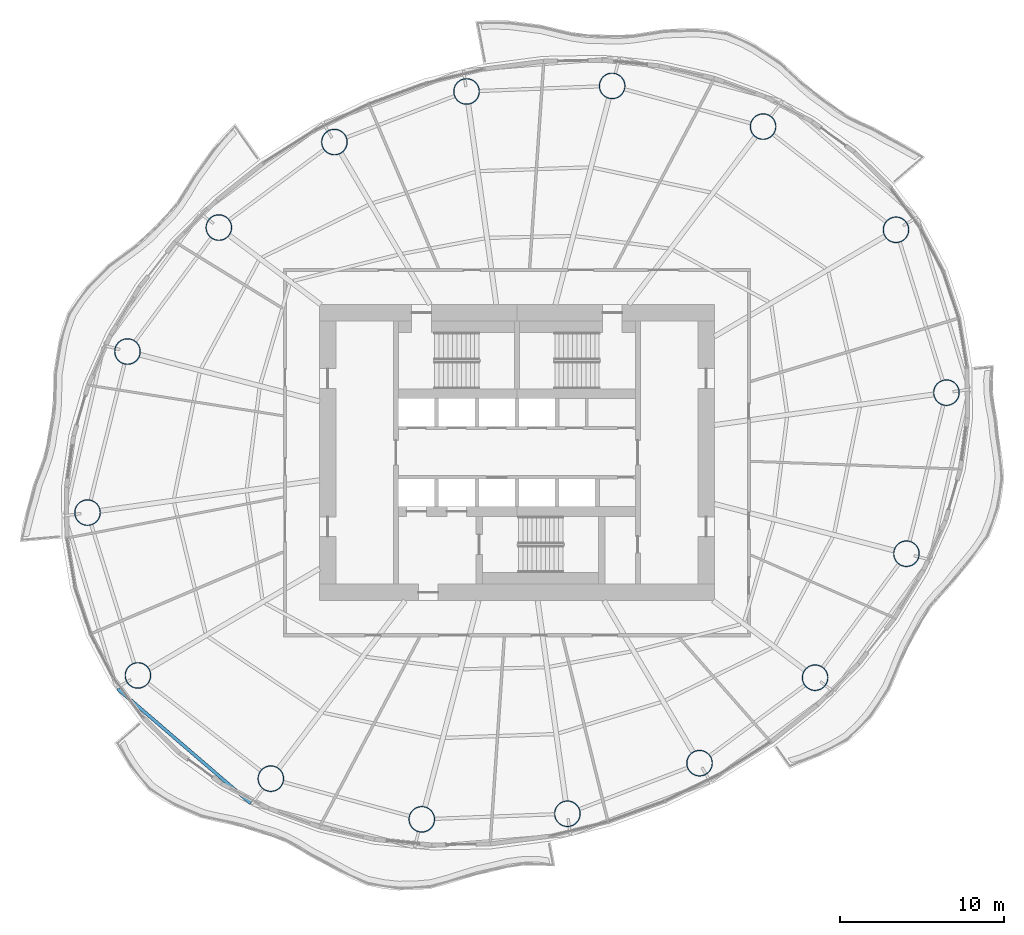
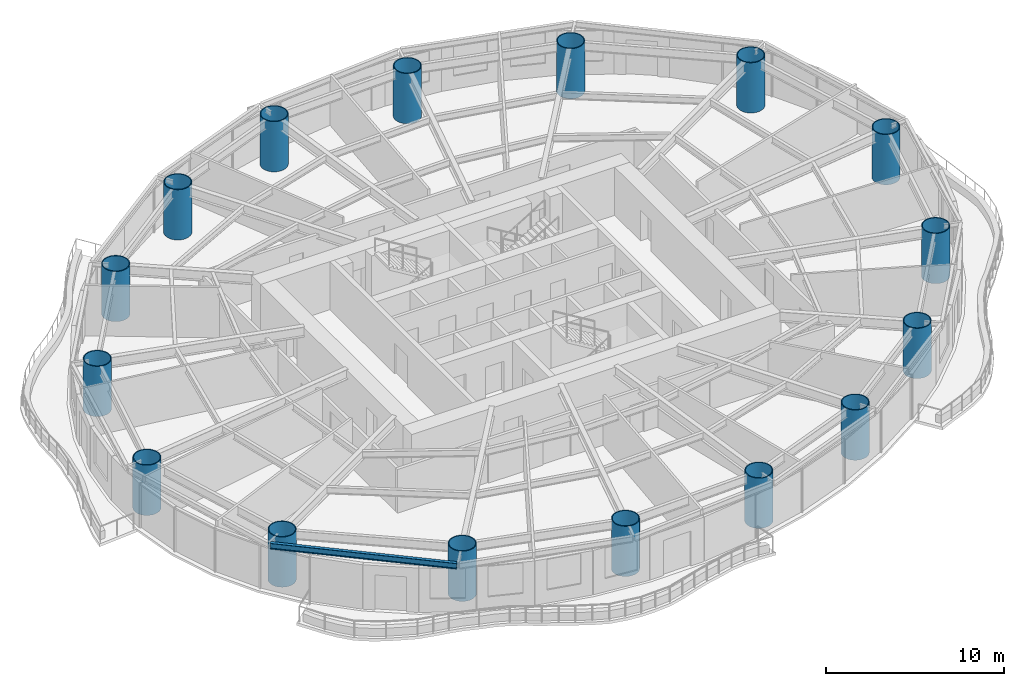
# One storey, part 1 of 14: 16 columns, 1 beam.
"""IFC4 building model written with IfcOpenShell, lengths in metres."""

from ifc_helpers import new_model, si_unit, direction, frame, origin, origin_2d, place, context, subcontext, project, spatial, hollow_circle, i_section, extrude, material, material_profile, profile_set, type_object, element, save


model = new_model("IFC4")

# Units and contexts
model_context = context("Model", 3, precision=1e-05, world=origin(), true_north=direction((0.0, 1.0)))
body_context = subcontext(model_context, "Body", "Model", "MODEL_VIEW")
ifc_project = project(units=[si_unit("LENGTHUNIT", "METRE"), si_unit("AREAUNIT", "SQUARE_METRE"), si_unit("VOLUMEUNIT", "CUBIC_METRE"), si_unit("PLANEANGLEUNIT", "RADIAN"), si_unit("MASSUNIT", "GRAM", prefix="KILO")], contexts=[model_context])

# Site, building, storey
site_placement = place(None, origin())
site = spatial("IfcSite", under=ifc_project, at=site_placement, CompositionType="ELEMENT")
building_placement = place(site_placement, origin())
building = spatial("IfcBuilding", under=site, at=building_placement, Name="Vermilion Reach Broadcast Tower", CompositionType="ELEMENT")
storey_placement = place(building_placement, frame((0.0, 0.0, 124.60009765625)))
storey = spatial("IfcBuildingStorey", under=building, at=storey_placement, Name="L29", CompositionType="ELEMENT", Elevation=124.60009765625)

# Columns
ifc_material_1 = material(Name="Concrete C80 infill in steel S460NL tube", Category="concrete")
ifc_material_profile_1 = material_profile(ifc_material_1, hollow_circle(Radius=0.800048828125, WallThickness=0.054931640625, at=origin_2d()), Name="Concrete C80 infill in steel S460NL tube CFT 1600x55")
ifc_profile_set_1 = profile_set([ifc_material_profile_1], Name="Concrete C80 infill in steel S460NL tube")
column_type = type_object("IfcColumnType", Name="MC2 CFT 1600x55", PredefinedType="COLUMN", material=ifc_profile_set_1)
for number, where, z_axis, x_axis, name in (
    (1, (17.04345703125, 13.546630859375, 0.0), (0.0, 0.0, 1.0), (1.0, 0.0, 0.0), "Mega-column MC2-01"),
    (2, (8.96337890625, 19.821044921875, 0.0), (0.0, 0.0, 1.0), (1.0, 0.0, 0.0), "Mega-column MC2-02"),
    (3, (-0.21337890625, 22.29443359375, 0.0), (0.0, 0.0, 1.0), (1.0, 0.0, 0.0), "Mega-column MC2-03"),
    (4, (-9.066162109375, 21.955810546875, 0.0), (0.0, 0.0, 1.0), (1.0, 0.0, 0.0), "Mega-column MC2-04"),
    (5, (-17.099609375, 18.881103515625, 0.0), (0.0, 0.0, 1.0), (1.0, 0.0, 0.0), "Mega-column MC2-05"),
    (6, (-24.12451171875, 13.6826171875, 0.0), (0.0, 0.0, 1.0), (1.0, 0.0, 0.0), "Mega-column MC2-06"),
    (7, (-29.6787109375, 6.145751953125, 0.0), (0.0, 0.0, 1.0), (1.0, 0.0, 0.0), "Mega-column MC2-07"),
    (8, (-32.10888671875, -3.646240234375, 0.0), (0.0, 0.0, 1.0), (1.0, 0.0, 0.0), "Mega-column MC2-08"),
    (9, (-29.04345703125, -13.546630859375, 0.0), (0.0, 0.0, 1.0), (1.0, 0.0, 0.0), "Mega-column MC2-09"),
    (10, (-20.96337890625, -19.821044921875, 0.0), (0.0, 0.0, 1.0), (1.0, 0.0, 0.0), "Mega-column MC2-10"),
    (11, (-11.78662109375, -22.29443359375, 0.0), (0.0, 0.0, 1.0), (1.0, 0.0, 0.0), "Mega-column MC2-11"),
    (12, (-2.933837890625, -21.955810546875, 0.0), (0.0, 0.0, 1.0), (1.0, 0.0, 0.0), "Mega-column MC2-12"),
    (13, (5.099609375, -18.881103515625, 0.0), (0.0, 0.0, 1.0), (1.0, 0.0, 0.0), "Mega-column MC2-13"),
    (14, (12.12451171875, -13.6826171875, 0.0), (0.0, 0.0, 1.0), (1.0, 0.0, 0.0), "Mega-column MC2-14"),
    (15, (17.6787109375, -6.145751953125, 0.0), (0.0, 0.0, 1.0), (1.0, 0.0, 0.0), "Mega-column MC2-15"),
    (16, (20.10888671875, 3.646240234375, 0.0), (0.0, 0.0, 1.0), (1.0, 0.0, 0.0), "Mega-column MC2-16"),
):
    element("IfcColumn", number, at=place(storey_placement, frame(where, z_axis=z_axis, x_axis=x_axis)), inside=storey, type_object=column_type, Name=name, PredefinedType="COLUMN", context=body_context, shape_type="SweptSolid", body=[
        extrude(hollow_circle(Radius=0.800048828125, WallThickness=0.054931640625, at=origin_2d()), origin(), (0.0, 0.0, 1.0), 3.449951171875),
    ])

# Beam
ifc_material_2 = material(Name="Steel S355J2", Category="steel")
ifc_material_profile_2 = material_profile(ifc_material_2, i_section(OverallWidth=0.199951171875, OverallDepth=0.39990234375, WebThickness=0.008056640625, FlangeThickness=0.012939453125, at=origin_2d()), Name="S355J2 HN 400x200x8x13")
ifc_profile_set_2 = profile_set([ifc_material_profile_2], Name="Steel S355J2")
beam_type = type_object("IfcBeamType", Name="EB2 HN 400x200x8x13", PredefinedType="BEAM", material=ifc_profile_set_2)
beam_placement = place(storey_placement, frame((-30.279052734375, -14.360107421875, 3.25), z_axis=(0.75823993255, -0.651975616635, 0.0), x_axis=(0.651975616635, 0.75823993255, 0.0)))
element("IfcBeam", 17, at=beam_placement, inside=storey, type_object=beam_type, Name="Edge beam EB2-09", PredefinedType="BEAM", context=body_context, shape_type="SweptSolid", body=[
    extrude(i_section(OverallWidth=0.199951171875, OverallDepth=0.39990234375, WebThickness=0.008056640625, FlangeThickness=0.012939453125, at=origin_2d()), origin(), (0.0, 0.0, 1.0), 10.671875),
])

save(model, "model.ifc")
